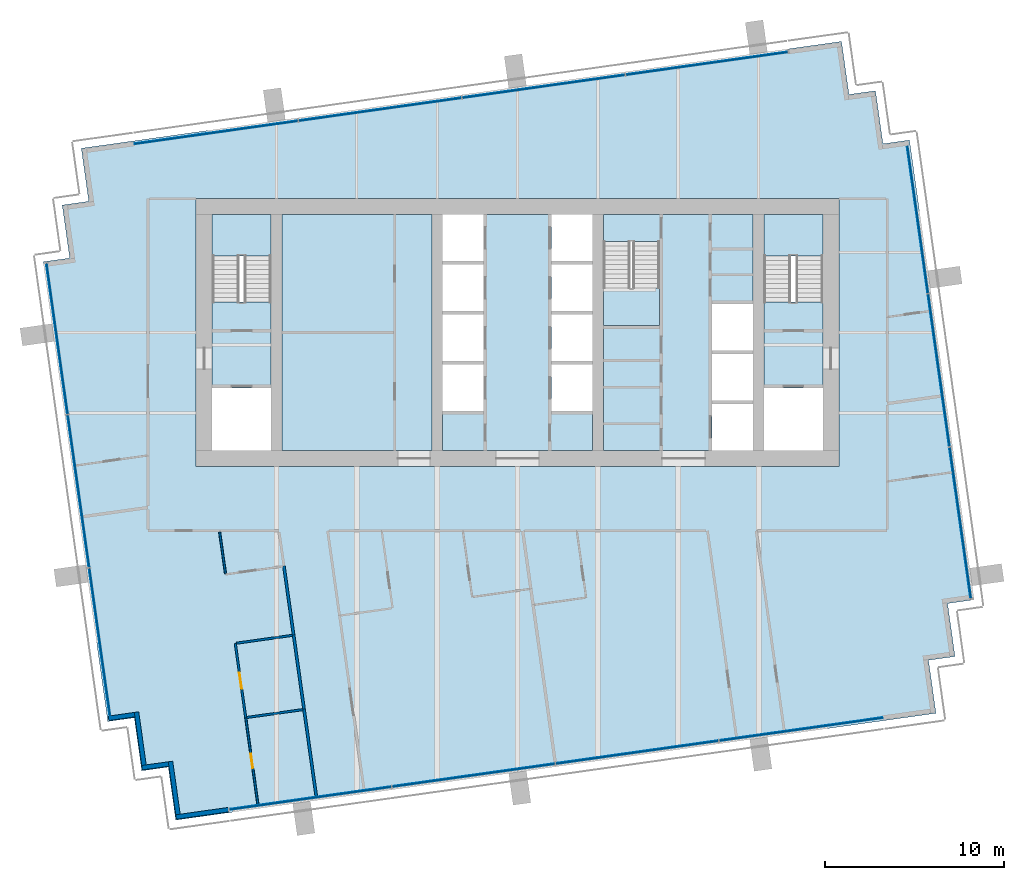
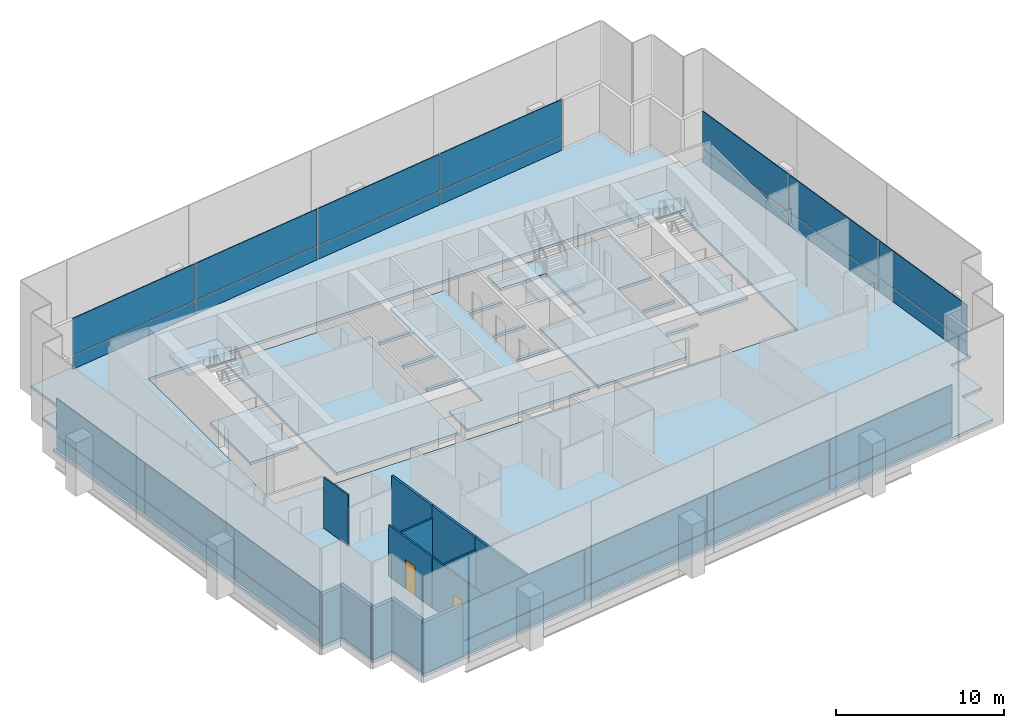
# One storey, part 7 of 15: 28 plates, 13 walls, 9 slabs, 2 doors, 2 openings, 7 elements without a shape of their own.
"""IFC4 building model written with IfcOpenShell, lengths in metres."""

from ifc_helpers import new_model, si_unit, direction, frame, frame_2d, origin, origin_2d, place, context, subcontext, project, spatial, polyline, rectangle, outline, extrude, material, layer, layer_set, type_object, element, fill, aggregate, save


model = new_model("IFC4")

# Units and contexts
model_context = context("Model", 3, precision=1e-05, world=origin(), true_north=direction((0.0, 1.0)))
body_context = subcontext(model_context, "Body", "Model", "MODEL_VIEW")
ifc_project = project(units=[si_unit("LENGTHUNIT", "METRE"), si_unit("AREAUNIT", "SQUARE_METRE"), si_unit("VOLUMEUNIT", "CUBIC_METRE"), si_unit("PLANEANGLEUNIT", "RADIAN"), si_unit("MASSUNIT", "GRAM", prefix="KILO")], contexts=[model_context])

# Site, building, storey
site_placement = place(None, origin())
site = spatial("IfcSite", under=ifc_project, at=site_placement, CompositionType="ELEMENT")
building_placement = place(site_placement, origin())
building = spatial("IfcBuilding", under=site, at=building_placement, Name="Rattan Terrace Tower", CompositionType="ELEMENT")
storey_placement = place(building_placement, frame((0.0, 0.0, 266.800048828125)))
storey = spatial("IfcBuildingStorey", under=building, at=storey_placement, Name="L61", CompositionType="ELEMENT", Elevation=266.800048828125)

# Stair, slab
ifc_material_1 = material(Name="Concrete C40/50", Category="concrete")
stair_type = type_object("IfcStairType", Name="Core exit stair 1500", PredefinedType="HALF_TURN_STAIR", material=ifc_material_1)
stair_1_placement = place(storey_placement, origin())
stair_1 = element("IfcStair", 1, at=stair_1_placement, inside=storey, type_object=stair_type, Name="L61 exit stair 1", PredefinedType="HALF_TURN_STAIR")
ifc_material_2 = material(Name="Concrete C40/50", Category="concrete")
ifc_layer_1 = layer(ifc_material_2, 0.199951171875)
ifc_layer_set_1 = layer_set([ifc_layer_1], Name="Core exit stair landing")
slab_type_1 = type_object("IfcSlabType", Name="Core exit stair landing", PredefinedType="LANDING", material=ifc_layer_set_1)
slab_1_placement = place(storey_placement, frame((0.0, 0.0, 1.75)))
slab_1 = element("IfcSlab", 2, at=slab_1_placement, type_object=slab_type_1, Name="S1 landing 1", PredefinedType="LANDING", context=body_context, shape_type="SweptSolid", body=[
    extrude(outline(polyline([(-13.800048828125, 4.300048828125), (-13.800048828125, 6.60009765625), (-17.10009765625, 6.60009765625), (-17.10009765625, 4.300048828125), (-13.800048828125, 4.300048828125)])), origin(), (0.0, 0.0, 1.0), 0.199951171875),
])
aggregate(stair_1, [slab_1])

stair_2_placement = place(storey_placement, origin())
stair_2 = element("IfcStair", 3, at=stair_2_placement, inside=storey, type_object=stair_type, Name="L61 exit stair 2", PredefinedType="HALF_TURN_STAIR")
slab_2_placement = place(storey_placement, frame((0.0, 0.0, 1.75)))
slab_2 = element("IfcSlab", 4, at=slab_2_placement, type_object=slab_type_1, Name="S2 landing 1", PredefinedType="LANDING", context=body_context, shape_type="SweptSolid", body=[
    extrude(outline(polyline([(17.10009765625, 4.300048828125), (17.10009765625, 6.60009765625), (13.800048828125, 6.60009765625), (13.800048828125, 4.300048828125), (17.10009765625, 4.300048828125)])), origin(), (0.0, 0.0, 1.0), 0.199951171875),
])
aggregate(stair_2, [slab_2])

stair_3_placement = place(storey_placement, origin())
stair_3 = element("IfcStair", 5, at=stair_3_placement, inside=storey, type_object=stair_type, Name="L61 exit stair 3", PredefinedType="HALF_TURN_STAIR")
slab_3_placement = place(storey_placement, frame((0.0, 0.0, 1.75)))
slab_3 = element("IfcSlab", 6, at=slab_3_placement, type_object=slab_type_1, Name="S3 landing 1", PredefinedType="LANDING", context=body_context, shape_type="SweptSolid", body=[
    extrude(outline(polyline([(4.800048828125, 2.5), (4.800048828125, 0.39990234375), (7.949951171875, 0.39990234375), (7.949951171875, 2.5), (4.800048828125, 2.5)])), origin(), (0.0, 0.0, 1.0), 0.199951171875),
])
aggregate(stair_3, [slab_3])

# Slabs
ifc_material_3 = material(Name="Concrete C35/45", Category="concrete")
ifc_layer_2 = layer(ifc_material_3, 0.199951171875)
ifc_layer_set_2 = layer_set([ifc_layer_2], Name="Frame composite floor slab 200")
slab_type_2 = type_object("IfcSlabType", Name="Frame composite floor slab 200", PredefinedType="FLOOR", material=ifc_layer_set_2)
slab_4_placement = place(storey_placement, frame((0.0, 0.0, -0.199951171875)))
element("IfcSlab", 7, at=slab_4_placement, inside=storey, type_object=slab_type_2, Name="Floor slab", PredefinedType="FLOOR", context=body_context, shape_type="SweptSolid", body=[
    extrude(outline(polyline([(-16.176025390625, -26.889892578125), (20.464111328125, -21.739990234375), (23.43505859375, -21.322998046875), (23.01806640625, -18.35205078125), (24.5029296875, -18.14306640625), (24.0849609375, -15.173095703125), (25.571044921875, -14.964111328125), (21.951904296875, 10.782958984375), (20.467041015625, 10.573974609375), (20.049072265625, 13.544921875), (18.56396484375, 13.3369140625), (18.14599609375, 16.306884765625), (15.176025390625, 15.889892578125), (-21.464111328125, 10.739990234375), (-24.43505859375, 10.322998046875), (-24.01806640625, 7.35205078125), (-25.5029296875, 7.14306640625), (-25.0849609375, 4.173095703125), (-26.571044921875, 3.964111328125), (-22.951904296875, -21.782958984375), (-21.467041015625, -21.573974609375), (-21.049072265625, -24.544921875), (-19.56396484375, -24.3369140625), (-19.14599609375, -27.306884765625), (-16.176025390625, -26.889892578125)]), holes=[polyline([(-18.0, -7.5), (18.0, -7.5), (18.0, -6.60009765625), (18.0, 6.60009765625), (18.0, 7.5), (-18.0, 7.5), (-18.0, 6.60009765625), (-18.0, -6.60009765625), (-18.0, -7.5)])]), origin(), (0.0, 0.0, 1.0), 0.199951171875),
])
slab_5_placement = place(storey_placement, frame((0.0, 0.0, -0.199951171875)))
element("IfcSlab", 8, at=slab_5_placement, inside=storey, type_object=slab_type_2, Name="Floor slab", PredefinedType="FLOOR", context=body_context, shape_type="SweptSolid", body=[
    extrude(outline(polyline([(13.199951171875, 6.60009765625), (4.800048828125, 6.60009765625), (4.800048828125, 5.090087890625), (7.949951171875, 5.090087890625), (7.949951171875, 0.39990234375), (4.800048828125, 0.39990234375), (4.800048828125, -6.60009765625), (10.89990234375, -6.60009765625), (10.89990234375, -4.0), (13.199951171875, -4.0), (13.199951171875, -3.800048828125), (10.89990234375, -3.800048828125), (10.89990234375, -1.199951171875), (13.199951171875, -1.199951171875), (13.199951171875, -1.0), (10.89990234375, -1.0), (10.89990234375, 1.60009765625), (13.199951171875, 1.60009765625), (13.199951171875, 6.60009765625)])), origin(), (0.0, 0.0, 1.0), 0.199951171875),
])
slab_6_placement = place(storey_placement, frame((0.0, 0.0, -0.199951171875)))
element("IfcSlab", 9, at=slab_6_placement, inside=storey, type_object=slab_type_2, Name="Floor slab", PredefinedType="FLOOR", context=body_context, shape_type="SweptSolid", body=[
    extrude(outline(polyline([(1.89990234375, 6.60009765625), (-1.89990234375, 6.60009765625), (-1.89990234375, 4.0), (-4.199951171875, 4.0), (-4.199951171875, 3.800048828125), (-1.89990234375, 3.800048828125), (-1.89990234375, 1.199951171875), (-4.199951171875, 1.199951171875), (-4.199951171875, 1.0), (-1.89990234375, 1.0), (-1.89990234375, -1.60009765625), (-4.199951171875, -1.60009765625), (-4.199951171875, -1.800048828125), (-1.89990234375, -1.800048828125), (-1.89990234375, -4.39990234375), (-4.199951171875, -4.39990234375), (-4.199951171875, -6.60009765625), (4.199951171875, -6.60009765625), (4.199951171875, -4.39990234375), (1.89990234375, -4.39990234375), (1.89990234375, -1.800048828125), (4.199951171875, -1.800048828125), (4.199951171875, -1.60009765625), (1.89990234375, -1.60009765625), (1.89990234375, 1.0), (4.199951171875, 1.0), (4.199951171875, 1.199951171875), (1.89990234375, 1.199951171875), (1.89990234375, 3.800048828125), (4.199951171875, 3.800048828125), (4.199951171875, 4.0), (1.89990234375, 4.0), (1.89990234375, 6.60009765625)])), origin(), (0.0, 0.0, 1.0), 0.199951171875),
])
slab_7_placement = place(storey_placement, frame((0.0, 0.0, -0.199951171875)))
element("IfcSlab", 10, at=slab_7_placement, inside=storey, type_object=slab_type_2, Name="Floor slab", PredefinedType="FLOOR", context=body_context, shape_type="SweptSolid", body=[
    extrude(outline(polyline([(-17.10009765625, -3.10009765625), (-13.800048828125, -3.10009765625), (-13.800048828125, 1.7099609375), (-17.10009765625, 1.7099609375), (-17.10009765625, -3.10009765625)])), origin(), (0.0, 0.0, 1.0), 0.199951171875),
])
slab_8_placement = place(storey_placement, frame((0.0, 0.0, -0.199951171875)))
element("IfcSlab", 11, at=slab_8_placement, inside=storey, type_object=slab_type_2, Name="Floor slab", PredefinedType="FLOOR", context=body_context, shape_type="SweptSolid", body=[
    extrude(outline(polyline([(-4.800048828125, -6.60009765625), (-4.800048828125, 6.60009765625), (-13.199951171875, 6.60009765625), (-13.199951171875, -6.60009765625), (-4.800048828125, -6.60009765625)])), origin(), (0.0, 0.0, 1.0), 0.199951171875),
])
slab_9_placement = place(storey_placement, frame((0.0, 0.0, -0.199951171875)))
element("IfcSlab", 12, at=slab_9_placement, inside=storey, type_object=slab_type_2, Name="Floor slab", PredefinedType="FLOOR", context=body_context, shape_type="SweptSolid", body=[
    extrude(outline(polyline([(13.800048828125, -3.10009765625), (17.10009765625, -3.10009765625), (17.10009765625, 1.7099609375), (13.800048828125, 1.7099609375), (13.800048828125, -3.10009765625)])), origin(), (0.0, 0.0, 1.0), 0.199951171875),
])

# Curtain wall, plates
ifc_material_4 = material(Name="Aluminium and laminated glass", Category="aluminium")
ifc_layer_3 = layer(ifc_material_4, 0.199951171875)
ifc_layer_set_3 = layer_set([ifc_layer_3], Name="High-Zone Unitised Curtain Wall")
curtain_wall_type = type_object("IfcCurtainWallType", Name="High-Zone Unitised Curtain Wall", PredefinedType="NOTDEFINED", material=ifc_layer_set_3)
curtain_wall_1_placement = place(storey_placement, origin())
curtain_wall_1 = element("IfcCurtainWall", 13, at=curtain_wall_1_placement, inside=storey, type_object=curtain_wall_type, Name="High-zone curtain wall L61-1", PredefinedType="NOTDEFINED")
ifc_material_5 = material(Name="Aluminium insulated spandrel panel", Category="aluminium")
ifc_layer_4 = layer(ifc_material_5, 0.050048828125)
ifc_layer_set_4 = layer_set([ifc_layer_4], Name="High-Zone CW Spandrel Panel")
plate_type_1 = type_object("IfcPlateType", Name="High-Zone CW Spandrel Panel", PredefinedType="CURTAIN_PANEL", material=ifc_layer_set_4)
plate_1_placement = place(storey_placement, frame((24.7939453125, -10.65673828125, 0.0), z_axis=(0.0, 0.0, 1.0), x_axis=(-0.139191775431, 0.990265444036, 0.0)))
plate_1 = element("IfcPlate", 14, at=plate_1_placement, type_object=plate_type_1, Name="Panel cwl-L61-001.1.1", PredefinedType="CURTAIN_PANEL", context=body_context, shape_type="SweptSolid", body=[
    extrude(rectangle(XDim=8.51708984375, YDim=0.050048828125, at=origin_2d()), origin(), (0.0, 0.0, 1.0), 0.965087890625),
])
plate_2_placement = place(storey_placement, frame((23.593017578125, -2.11376953125, 0.0), z_axis=(0.0, 0.0, 1.0), x_axis=(-0.139191775431, 0.990265444036, 0.0)))
plate_2 = element("IfcPlate", 15, at=plate_2_placement, type_object=plate_type_1, Name="Panel cwl-L61-001.2.1", PredefinedType="CURTAIN_PANEL", context=body_context, shape_type="SweptSolid", body=[
    extrude(rectangle(XDim=8.596923828125, YDim=0.050048828125, at=origin_2d()), origin(), (0.0, 0.0, 1.0), 0.965087890625),
])
plate_3_placement = place(storey_placement, frame((22.40478515625, 6.339599609375, 0.0), z_axis=(0.0, 0.0, 1.0), x_axis=(-0.139191775431, 0.990265444036, 0.0)))
plate_3 = element("IfcPlate", 16, at=plate_3_placement, type_object=plate_type_1, Name="Panel cwl-L61-001.3.1", PredefinedType="CURTAIN_PANEL", context=body_context, shape_type="SweptSolid", body=[
    extrude(rectangle(XDim=8.336181640625, YDim=0.050048828125, at=origin_2d()), origin(), (0.0, 0.0, 1.0), 0.965087890625),
])

curtain_wall_2_placement = place(storey_placement, origin())
curtain_wall_2 = element("IfcCurtainWall", 17, at=curtain_wall_2_placement, inside=storey, type_object=curtain_wall_type, Name="High-zone curtain wall L61-2", PredefinedType="NOTDEFINED")
plate_4_placement = place(storey_placement, frame((10.602783203125, 15.075439453125, 0.0), z_axis=(0.0, 0.0, 1.0), x_axis=(-0.990265894013, -0.139188574079, 0.0)))
plate_4 = element("IfcPlate", 18, at=plate_4_placement, type_object=plate_type_1, Name="Panel cwl-L61-002.1.1", PredefinedType="CURTAIN_PANEL", context=body_context, shape_type="SweptSolid", body=[
    extrude(rectangle(XDim=9.14404296875, YDim=0.050048828125, at=origin_2d()), origin(), (0.0, 0.0, 1.0), 0.965087890625),
])
plate_5_placement = place(storey_placement, frame((1.461181640625, 13.79052734375, 0.0), z_axis=(0.0, 0.0, 1.0), x_axis=(-0.990265894013, -0.139188574079, 0.0)))
plate_5 = element("IfcPlate", 19, at=plate_5_placement, type_object=plate_type_1, Name="Panel cwl-L61-002.2.1", PredefinedType="CURTAIN_PANEL", context=body_context, shape_type="SweptSolid", body=[
    extrude(rectangle(XDim=9.178955078125, YDim=0.050048828125, at=origin_2d()), origin(), (0.0, 0.0, 1.0), 0.965087890625),
])
plate_6_placement = place(storey_placement, frame((-7.69775390625, 12.503173828125, 0.0), z_axis=(0.0, 0.0, 1.0), x_axis=(-0.990265894013, -0.139188574079, 0.0)))
plate_6 = element("IfcPlate", 20, at=plate_6_placement, type_object=plate_type_1, Name="Panel cwl-L61-002.3.1", PredefinedType="CURTAIN_PANEL", context=body_context, shape_type="SweptSolid", body=[
    extrude(rectangle(XDim=9.178955078125, YDim=0.050048828125, at=origin_2d()), origin(), (0.0, 0.0, 1.0), 0.965087890625),
])
plate_7_placement = place(storey_placement, frame((-16.876220703125, 11.213134765625, 0.0), z_axis=(0.0, 0.0, 1.0), x_axis=(-0.990265894013, -0.139188574079, 0.0)))
plate_7 = element("IfcPlate", 21, at=plate_7_placement, type_object=plate_type_1, Name="Panel cwl-L61-002.4.1", PredefinedType="CURTAIN_PANEL", context=body_context, shape_type="SweptSolid", body=[
    extrude(rectangle(XDim=9.21826171875, YDim=0.050048828125, at=origin_2d()), origin(), (0.0, 0.0, 1.0), 0.965087890625),
])

curtain_wall_3_placement = place(storey_placement, origin())
curtain_wall_3 = element("IfcCurtainWall", 22, at=curtain_wall_3_placement, inside=storey, type_object=curtain_wall_type, Name="High-zone curtain wall L61-3", PredefinedType="NOTDEFINED")
plate_8_placement = place(storey_placement, frame((-25.7939453125, -0.34326171875, 0.0), z_axis=(0.0, 0.0, 1.0), x_axis=(0.139191775431, -0.990265444036, 0.0)))
plate_8 = element("IfcPlate", 23, at=plate_8_placement, type_object=plate_type_1, Name="Panel cwl-L61-003.1.1", PredefinedType="CURTAIN_PANEL", context=body_context, shape_type="SweptSolid", body=[
    extrude(rectangle(XDim=8.51708984375, YDim=0.050048828125, at=origin_2d()), origin(), (0.0, 0.0, 1.0), 0.965087890625),
])
plate_9_placement = place(storey_placement, frame((-24.593017578125, -8.88623046875, 0.0), z_axis=(0.0, 0.0, 1.0), x_axis=(0.139191775431, -0.990265444036, 0.0)))
plate_9 = element("IfcPlate", 24, at=plate_9_placement, type_object=plate_type_1, Name="Panel cwl-L61-003.2.1", PredefinedType="CURTAIN_PANEL", context=body_context, shape_type="SweptSolid", body=[
    extrude(rectangle(XDim=8.596923828125, YDim=0.050048828125, at=origin_2d()), origin(), (0.0, 0.0, 1.0), 0.965087890625),
])
plate_10_placement = place(storey_placement, frame((-23.40478515625, -17.339599609375, 0.0), z_axis=(0.0, 0.0, 1.0), x_axis=(0.139191775431, -0.990265444036, 0.0)))
plate_10 = element("IfcPlate", 25, at=plate_10_placement, type_object=plate_type_1, Name="Panel cwl-L61-003.3.1", PredefinedType="CURTAIN_PANEL", context=body_context, shape_type="SweptSolid", body=[
    extrude(rectangle(XDim=8.336181640625, YDim=0.050048828125, at=origin_2d()), origin(), (0.0, 0.0, 1.0), 0.965087890625),
])

curtain_wall_4_placement = place(storey_placement, origin())
curtain_wall_4 = element("IfcCurtainWall", 26, at=curtain_wall_4_placement, inside=storey, type_object=curtain_wall_type, Name="High-zone curtain wall L61-4", PredefinedType="NOTDEFINED")
plate_11_placement = place(storey_placement, frame((-11.602783203125, -26.075439453125, 0.0), z_axis=(0.0, 0.0, 1.0), x_axis=(0.990265894013, 0.139188574079, 0.0)))
plate_11 = element("IfcPlate", 27, at=plate_11_placement, type_object=plate_type_1, Name="Panel cwl-L61-004.1.1", PredefinedType="CURTAIN_PANEL", context=body_context, shape_type="SweptSolid", body=[
    extrude(rectangle(XDim=9.14404296875, YDim=0.050048828125, at=origin_2d()), origin(), (0.0, 0.0, 1.0), 0.965087890625),
])
plate_12_placement = place(storey_placement, frame((-2.461181640625, -24.79052734375, 0.0), z_axis=(0.0, 0.0, 1.0), x_axis=(0.990265894013, 0.139188574079, 0.0)))
plate_12 = element("IfcPlate", 28, at=plate_12_placement, type_object=plate_type_1, Name="Panel cwl-L61-004.2.1", PredefinedType="CURTAIN_PANEL", context=body_context, shape_type="SweptSolid", body=[
    extrude(rectangle(XDim=9.178955078125, YDim=0.050048828125, at=origin_2d()), origin(), (0.0, 0.0, 1.0), 0.965087890625),
])
plate_13_placement = place(storey_placement, frame((6.69775390625, -23.503173828125, 0.0), z_axis=(0.0, 0.0, 1.0), x_axis=(0.990265894013, 0.139188574079, 0.0)))
plate_13 = element("IfcPlate", 29, at=plate_13_placement, type_object=plate_type_1, Name="Panel cwl-L61-004.3.1", PredefinedType="CURTAIN_PANEL", context=body_context, shape_type="SweptSolid", body=[
    extrude(rectangle(XDim=9.178955078125, YDim=0.050048828125, at=origin_2d()), origin(), (0.0, 0.0, 1.0), 0.965087890625),
])
plate_14_placement = place(storey_placement, frame((15.876220703125, -22.213134765625, 0.0), z_axis=(0.0, 0.0, 1.0), x_axis=(0.990265894013, 0.139188574079, 0.0)))
plate_14 = element("IfcPlate", 30, at=plate_14_placement, type_object=plate_type_1, Name="Panel cwl-L61-004.4.1", PredefinedType="CURTAIN_PANEL", context=body_context, shape_type="SweptSolid", body=[
    extrude(rectangle(XDim=9.21826171875, YDim=0.050048828125, at=origin_2d()), origin(), (0.0, 0.0, 1.0), 0.965087890625),
])

# Plate
ifc_material_6 = material(Name="Laminated low-iron glass", Category="glass")
ifc_layer_5 = layer(ifc_material_6, 0.055908203125)
ifc_layer_set_5 = layer_set([ifc_layer_5], Name="High-Zone CW Vision Panel")
plate_type_2 = type_object("IfcPlateType", Name="High-Zone CW Vision Panel", PredefinedType="CURTAIN_PANEL", material=ifc_layer_set_5)
plate_15_placement = place(storey_placement, frame((24.7939453125, -10.65673828125, 1.034912109375), z_axis=(0.0, 0.0, 1.0), x_axis=(-0.139191775431, 0.990265444036, 0.0)))
plate_15 = element("IfcPlate", 31, at=plate_15_placement, type_object=plate_type_2, Name="Panel cwl-L61-001.1.2", PredefinedType="CURTAIN_PANEL", context=body_context, shape_type="SweptSolid", body=[
    extrude(rectangle(XDim=8.51708984375, YDim=0.055908203125, at=origin_2d()), origin(), (0.0, 0.0, 1.0), 2.6650390625),
])

plate_16_placement = place(storey_placement, frame((23.593017578125, -2.11376953125, 1.034912109375), z_axis=(0.0, 0.0, 1.0), x_axis=(-0.139191775431, 0.990265444036, 0.0)))
plate_16 = element("IfcPlate", 32, at=plate_16_placement, type_object=plate_type_2, Name="Panel cwl-L61-001.2.2", PredefinedType="CURTAIN_PANEL", context=body_context, shape_type="SweptSolid", body=[
    extrude(rectangle(XDim=8.596923828125, YDim=0.055908203125, at=origin_2d()), origin(), (0.0, 0.0, 1.0), 2.6650390625),
])

plate_17_placement = place(storey_placement, frame((22.40478515625, 6.339599609375, 1.034912109375), z_axis=(0.0, 0.0, 1.0), x_axis=(-0.139191775431, 0.990265444036, 0.0)))
plate_17 = element("IfcPlate", 33, at=plate_17_placement, type_object=plate_type_2, Name="Panel cwl-L61-001.3.2", PredefinedType="CURTAIN_PANEL", context=body_context, shape_type="SweptSolid", body=[
    extrude(rectangle(XDim=8.336181640625, YDim=0.055908203125, at=origin_2d()), origin(), (0.0, 0.0, 1.0), 2.6650390625),
])

aggregate(curtain_wall_1, [plate_1, plate_15, plate_2, plate_16, plate_3, plate_17])

plate_18_placement = place(storey_placement, frame((10.602783203125, 15.075439453125, 1.034912109375), z_axis=(0.0, 0.0, 1.0), x_axis=(-0.990265894013, -0.139188574079, 0.0)))
plate_18 = element("IfcPlate", 34, at=plate_18_placement, type_object=plate_type_2, Name="Panel cwl-L61-002.1.2", PredefinedType="CURTAIN_PANEL", context=body_context, shape_type="SweptSolid", body=[
    extrude(rectangle(XDim=9.14404296875, YDim=0.055908203125, at=origin_2d()), origin(), (0.0, 0.0, 1.0), 2.6650390625),
])

plate_19_placement = place(storey_placement, frame((1.461181640625, 13.79052734375, 1.034912109375), z_axis=(0.0, 0.0, 1.0), x_axis=(-0.990265894013, -0.139188574079, 0.0)))
plate_19 = element("IfcPlate", 35, at=plate_19_placement, type_object=plate_type_2, Name="Panel cwl-L61-002.2.2", PredefinedType="CURTAIN_PANEL", context=body_context, shape_type="SweptSolid", body=[
    extrude(rectangle(XDim=9.178955078125, YDim=0.055908203125, at=origin_2d()), origin(), (0.0, 0.0, 1.0), 2.6650390625),
])

plate_20_placement = place(storey_placement, frame((-7.69775390625, 12.503173828125, 1.034912109375), z_axis=(0.0, 0.0, 1.0), x_axis=(-0.990265894013, -0.139188574079, 0.0)))
plate_20 = element("IfcPlate", 36, at=plate_20_placement, type_object=plate_type_2, Name="Panel cwl-L61-002.3.2", PredefinedType="CURTAIN_PANEL", context=body_context, shape_type="SweptSolid", body=[
    extrude(rectangle(XDim=9.178955078125, YDim=0.055908203125, at=origin_2d()), origin(), (0.0, 0.0, 1.0), 2.6650390625),
])

plate_21_placement = place(storey_placement, frame((-16.876220703125, 11.213134765625, 1.034912109375), z_axis=(0.0, 0.0, 1.0), x_axis=(-0.990265894013, -0.139188574079, 0.0)))
plate_21 = element("IfcPlate", 37, at=plate_21_placement, type_object=plate_type_2, Name="Panel cwl-L61-002.4.2", PredefinedType="CURTAIN_PANEL", context=body_context, shape_type="SweptSolid", body=[
    extrude(rectangle(XDim=9.21826171875, YDim=0.055908203125, at=origin_2d()), origin(), (0.0, 0.0, 1.0), 2.6650390625),
])

aggregate(curtain_wall_2, [plate_4, plate_18, plate_5, plate_19, plate_6, plate_20, plate_7, plate_21])

plate_22_placement = place(storey_placement, frame((-25.7939453125, -0.34326171875, 1.034912109375), z_axis=(0.0, 0.0, 1.0), x_axis=(0.139191775431, -0.990265444036, 0.0)))
plate_22 = element("IfcPlate", 38, at=plate_22_placement, type_object=plate_type_2, Name="Panel cwl-L61-003.1.2", PredefinedType="CURTAIN_PANEL", context=body_context, shape_type="SweptSolid", body=[
    extrude(rectangle(XDim=8.51708984375, YDim=0.055908203125, at=origin_2d()), origin(), (0.0, 0.0, 1.0), 2.6650390625),
])

plate_23_placement = place(storey_placement, frame((-24.593017578125, -8.88623046875, 1.034912109375), z_axis=(0.0, 0.0, 1.0), x_axis=(0.139191775431, -0.990265444036, 0.0)))
plate_23 = element("IfcPlate", 39, at=plate_23_placement, type_object=plate_type_2, Name="Panel cwl-L61-003.2.2", PredefinedType="CURTAIN_PANEL", context=body_context, shape_type="SweptSolid", body=[
    extrude(rectangle(XDim=8.596923828125, YDim=0.055908203125, at=origin_2d()), origin(), (0.0, 0.0, 1.0), 2.6650390625),
])

plate_24_placement = place(storey_placement, frame((-23.40478515625, -17.339599609375, 1.034912109375), z_axis=(0.0, 0.0, 1.0), x_axis=(0.139191775431, -0.990265444036, 0.0)))
plate_24 = element("IfcPlate", 40, at=plate_24_placement, type_object=plate_type_2, Name="Panel cwl-L61-003.3.2", PredefinedType="CURTAIN_PANEL", context=body_context, shape_type="SweptSolid", body=[
    extrude(rectangle(XDim=8.336181640625, YDim=0.055908203125, at=origin_2d()), origin(), (0.0, 0.0, 1.0), 2.6650390625),
])

aggregate(curtain_wall_3, [plate_8, plate_22, plate_9, plate_23, plate_10, plate_24])

plate_25_placement = place(storey_placement, frame((-11.602783203125, -26.075439453125, 1.034912109375), z_axis=(0.0, 0.0, 1.0), x_axis=(0.990265894013, 0.139188574079, 0.0)))
plate_25 = element("IfcPlate", 41, at=plate_25_placement, type_object=plate_type_2, Name="Panel cwl-L61-004.1.2", PredefinedType="CURTAIN_PANEL", context=body_context, shape_type="SweptSolid", body=[
    extrude(rectangle(XDim=9.14404296875, YDim=0.055908203125, at=origin_2d()), origin(), (0.0, 0.0, 1.0), 2.6650390625),
])

plate_26_placement = place(storey_placement, frame((-2.461181640625, -24.79052734375, 1.034912109375), z_axis=(0.0, 0.0, 1.0), x_axis=(0.990265894013, 0.139188574079, 0.0)))
plate_26 = element("IfcPlate", 42, at=plate_26_placement, type_object=plate_type_2, Name="Panel cwl-L61-004.2.2", PredefinedType="CURTAIN_PANEL", context=body_context, shape_type="SweptSolid", body=[
    extrude(rectangle(XDim=9.178955078125, YDim=0.055908203125, at=origin_2d()), origin(), (0.0, 0.0, 1.0), 2.6650390625),
])

plate_27_placement = place(storey_placement, frame((6.69775390625, -23.503173828125, 1.034912109375), z_axis=(0.0, 0.0, 1.0), x_axis=(0.990265894013, 0.139188574079, 0.0)))
plate_27 = element("IfcPlate", 43, at=plate_27_placement, type_object=plate_type_2, Name="Panel cwl-L61-004.3.2", PredefinedType="CURTAIN_PANEL", context=body_context, shape_type="SweptSolid", body=[
    extrude(rectangle(XDim=9.178955078125, YDim=0.055908203125, at=origin_2d()), origin(), (0.0, 0.0, 1.0), 2.6650390625),
])

plate_28_placement = place(storey_placement, frame((15.876220703125, -22.213134765625, 1.034912109375), z_axis=(0.0, 0.0, 1.0), x_axis=(0.990265894013, 0.139188574079, 0.0)))
plate_28 = element("IfcPlate", 44, at=plate_28_placement, type_object=plate_type_2, Name="Panel cwl-L61-004.4.2", PredefinedType="CURTAIN_PANEL", context=body_context, shape_type="SweptSolid", body=[
    extrude(rectangle(XDim=9.21826171875, YDim=0.055908203125, at=origin_2d()), origin(), (0.0, 0.0, 1.0), 2.6650390625),
])

aggregate(curtain_wall_4, [plate_11, plate_25, plate_12, plate_26, plate_13, plate_27, plate_14, plate_28])

# Walls
ifc_material_7 = material(Name="Insulated aluminium-clad stud wall", Category="aluminium")
ifc_layer_6 = layer(ifc_material_7, 0.25)
ifc_layer_set_6 = layer_set([ifc_layer_6], Name="Facade Riser Wall 250")
wall_type_1 = type_object("IfcWallType", Name="Facade Riser Wall 250", PredefinedType="SOLIDWALL", material=ifc_layer_set_6)
wall_1_placement = place(storey_placement, frame((-22.90625, -21.60498046875, 0.0), z_axis=(0.0, 0.0, 1.0), x_axis=(0.990235520307, 0.13940449893, 0.0)))
element("IfcWall", 45, at=wall_1_placement, inside=storey, type_object=wall_type_1, Name="Riser wall L61-16", PredefinedType="SOLIDWALL", context=body_context, shape_type="SweptSolid", body=[
    extrude(rectangle(XDim=1.474609375, YDim=0.25, at=frame_2d((0.7373046875, 0.0))), origin(), (0.0, 0.0, 1.0), 3.699951171875),
])
wall_2_placement = place(storey_placement, frame((-21.33984375, -21.25830078125, 0.0), z_axis=(0.0, 0.0, 1.0), x_axis=(0.139393225799, -0.990237107263, 0.0)))
element("IfcWall", 46, at=wall_2_placement, inside=storey, type_object=wall_type_1, Name="Riser wall L61-17", PredefinedType="SOLIDWALL", context=body_context, shape_type="SweptSolid", body=[
    extrude(rectangle(XDim=3.000244140625, YDim=0.25, at=frame_2d((1.5, 0.0))), origin(), (0.0, 0.0, 1.0), 3.699951171875),
])
wall_3_placement = place(storey_placement, frame((-21.028076171875, -24.370361328125, 0.0), z_axis=(0.0, 0.0, 1.0), x_axis=(0.990330117064, 0.138730887823, 0.0)))
element("IfcWall", 47, at=wall_3_placement, inside=storey, type_object=wall_type_1, Name="Riser wall L61-18", PredefinedType="SOLIDWALL", context=body_context, shape_type="SweptSolid", body=[
    extrude(rectangle(XDim=1.499267578125, YDim=0.25, at=frame_2d((0.74951171875, 0.0))), origin(), (0.0, 0.0, 1.0), 3.699951171875),
])
wall_4_placement = place(storey_placement, frame((-19.436767578125, -24.021240234375, 0.0), z_axis=(0.0, 0.0, 1.0), x_axis=(0.139358350296, -0.990242015975, 0.0)))
element("IfcWall", 48, at=wall_4_placement, inside=storey, type_object=wall_type_1, Name="Riser wall L61-19", PredefinedType="SOLIDWALL", context=body_context, shape_type="SweptSolid", body=[
    extrude(rectangle(XDim=2.999267578125, YDim=0.25, at=frame_2d((1.49951171875, 0.0))), origin(), (0.0, 0.0, 1.0), 3.699951171875),
])
wall_5_placement = place(storey_placement, frame((-19.125244140625, -27.13232421875, 0.0), z_axis=(0.0, 0.0, 1.0), x_axis=(0.990291981483, 0.139002846771, 0.0)))
element("IfcWall", 49, at=wall_5_placement, inside=storey, type_object=wall_type_1, Name="Riser wall L61-20", PredefinedType="SOLIDWALL", context=body_context, shape_type="SweptSolid", body=[
    extrude(rectangle(XDim=2.9541015625, YDim=0.25, at=frame_2d((1.47705078125, 0.0))), origin(), (0.0, 0.0, 1.0), 3.699951171875),
])

# Wall, opening, door
ifc_material_8 = material(Name="Gypsum board partition on steel studs", Category="steel")
ifc_layer_7 = layer(ifc_material_8, 0.10009765625)
ifc_layer_set_7 = layer_set([ifc_layer_7], Name="Floors Partition 100")
wall_type_2 = type_object("IfcWallType", Name="Floors Partition 100", PredefinedType="PARTITIONING", material=ifc_layer_set_7)
wall_6_placement = place(storey_placement, frame((-15.221923828125, -21.5859375, 0.0), z_axis=(0.0, 0.0, 1.0), x_axis=(0.139120882778, -0.990275406124, 0.0)))
wall_6 = element("IfcWall", 50, at=wall_6_placement, inside=storey, type_object=wall_type_2, Name="pt-L61-026", PredefinedType="PARTITIONING", context=body_context, shape_type="SweptSolid", body=[
    extrude(rectangle(XDim=4.859375, YDim=0.10009765625, at=frame_2d((2.4296875, 0.0))), origin(), (0.0, 0.0, 1.0), 3.699951171875),
])
opening_1_placement = place(wall_6_placement, frame((2.030029296875, 0.0, 0.0)))
opening_1 = element("IfcOpeningElement", 51, at=opening_1_placement, cuts=wall_6, Name="Opening L61-D101", PredefinedType="OPENING", context=body_context, shape_type="SweptSolid", body=[
    extrude(rectangle(XDim=0.800048828125, YDim=2.10009765625, at=frame_2d((0.39990234375, 1.050048828125))), frame((0.0, 0.060546875, 0.0), z_axis=(0.0, -1.0, 0.0), x_axis=(1.0, 0.0, 0.0)), (0.0, 0.0, 1.0), 0.12109375),
])
ifc_material_9 = material(Name="Solid core timber door, painted", Category="wood")
door_type_1 = type_object("IfcDoorType", Name="Floors Store Door 800x2100", OperationType="NOTDEFINED", PredefinedType="DOOR", material=ifc_material_9)
door_1_placement = place(opening_1_placement, origin())
door_1 = element("IfcDoor", 52, at=door_1_placement, inside=storey, type_object=door_type_1, Name="d-L61-101", OperationType="SINGLE_SWING_RIGHT", OverallHeight=2.10009765625, OverallWidth=0.800048828125, PredefinedType="DOOR", context=body_context, shape_type="SweptSolid", body=[
    extrude(rectangle(XDim=0.800048828125, YDim=2.10009765625, at=frame_2d((0.39990234375, 1.050048828125))), frame((0.0, 0.02490234375, 0.0), z_axis=(0.0, -1.0, 0.0), x_axis=(1.0, 0.0, 0.0)), (0.0, 0.0, 1.0), 0.050048828125),
])
fill(opening_1, door_1)

# Walls
wall_7_placement = place(storey_placement, frame((-16.68701171875, -11.16796875, 0.0), z_axis=(0.0, 0.0, 1.0), x_axis=(0.139560302367, -0.990213573934, 0.0)))
element("IfcWall", 53, at=wall_7_placement, inside=storey, type_object=wall_type_2, Name="pt-L61-029", PredefinedType="PARTITIONING", context=body_context, shape_type="SweptSolid", body=[
    extrude(rectangle(XDim=2.35107421875, YDim=0.10009765625, at=frame_2d((1.175537109375, 0.0))), origin(), (0.0, 0.0, 1.0), 3.699951171875),
])
ifc_material_10 = material(Name="Gypsum board partition on steel studs, fire rated", Category="steel")
ifc_layer_8 = layer(ifc_material_10, 0.14990234375)
ifc_layer_set_8 = layer_set([ifc_layer_8], Name="Floors Tenancy Wall 150")
wall_type_3 = type_object("IfcWallType", Name="Floors Tenancy Wall 150", PredefinedType="PARTITIONING", material=ifc_layer_set_8)
wall_8_placement = place(storey_placement, frame((-12.5439453125, -16.927978515625, 0.0), z_axis=(0.0, 0.0, 1.0), x_axis=(-0.139221261089, 0.990261299083, 0.0)))
element("IfcWall", 54, at=wall_8_placement, inside=storey, type_object=wall_type_3, Name="pt-L61-003", PredefinedType="PARTITIONING", context=body_context, shape_type="SweptSolid", body=[
    extrude(rectangle(XDim=3.900146484375, YDim=0.14990234375, at=frame_2d((1.9501953125, 0.0))), origin(), (0.0, 0.0, 1.0), 3.699951171875),
])
wall_9_placement = place(storey_placement, frame((-11.278076171875, -25.93896484375, 0.0), z_axis=(0.0, 0.0, 1.0), x_axis=(-0.139167797017, 0.990268814148, 0.0)))
element("IfcWall", 55, at=wall_9_placement, inside=storey, type_object=wall_type_3, Name="pt-L61-004", PredefinedType="PARTITIONING", context=body_context, shape_type="SweptSolid", body=[
    extrude(rectangle(XDim=4.899658203125, YDim=0.14990234375, at=frame_2d((2.44970703125, 0.0))), origin(), (0.0, 0.0, 1.0), 3.699951171875),
])
wall_10_placement = place(storey_placement, frame((-11.9599609375, -21.0869140625, 0.0), z_axis=(0.0, 0.0, 1.0), x_axis=(-0.139052638616, 0.990284991148, 0.0)))
element("IfcWall", 56, at=wall_10_placement, inside=storey, type_object=wall_type_3, Name="pt-L61-005", PredefinedType="PARTITIONING", context=body_context, shape_type="SweptSolid", body=[
    extrude(rectangle(XDim=4.19970703125, YDim=0.14990234375, at=frame_2d((2.099853515625, 0.0))), origin(), (0.0, 0.0, 1.0), 3.699951171875),
])

# Wall, opening, door
ifc_material_11 = material(Name="Moisture resistant gypsum board partition on steel studs with service cavity", Category="steel")
ifc_layer_9 = layer(ifc_material_11, 0.1201171875)
ifc_layer_set_9 = layer_set([ifc_layer_9], Name="Floors Wet Wall 120")
wall_type_4 = type_object("IfcWallType", Name="Floors Wet Wall 120", PredefinedType="PARTITIONING", material=ifc_layer_set_9)
wall_11_placement = place(storey_placement, frame((-15.80908203125, -17.406982421875, 0.0), z_axis=(0.0, 0.0, 1.0), x_axis=(0.139136935655, -0.99027315077, 0.0)))
wall_11 = element("IfcWall", 57, at=wall_11_placement, inside=storey, type_object=wall_type_4, Name="pt-L61-027", PredefinedType="PARTITIONING", context=body_context, shape_type="SweptSolid", body=[
    extrude(rectangle(XDim=4.219970703125, YDim=0.1201171875, at=frame_2d((2.10986328125, 0.0))), origin(), (0.0, 0.0, 1.0), 3.699951171875),
])
opening_2_placement = place(wall_11_placement, frame((1.659912109375, 0.0, 0.0)))
opening_2 = element("IfcOpeningElement", 58, at=opening_2_placement, cuts=wall_11, Name="Opening L61-D102", PredefinedType="OPENING", context=body_context, shape_type="SweptSolid", body=[
    extrude(rectangle(XDim=0.89990234375, YDim=2.10009765625, at=frame_2d((0.449951171875, 1.050048828125))), frame((0.0, 0.070556640625, 0.0), z_axis=(0.0, -1.0, 0.0), x_axis=(1.0, 0.0, 0.0)), (0.0, 0.0, 1.0), 0.14111328125),
])
ifc_material_12 = material(Name="Solid core timber door, painted", Category="wood")
door_type_2 = type_object("IfcDoorType", Name="Floors Door 900x2100", OperationType="NOTDEFINED", PredefinedType="DOOR", material=ifc_material_12)
door_2_placement = place(opening_2_placement, origin())
door_2 = element("IfcDoor", 59, at=door_2_placement, inside=storey, type_object=door_type_2, Name="d-L61-102", OperationType="SINGLE_SWING_LEFT", OverallHeight=2.10009765625, OverallWidth=0.89990234375, PredefinedType="DOOR", context=body_context, shape_type="SweptSolid", body=[
    extrude(rectangle(XDim=0.89990234375, YDim=2.10009765625, at=frame_2d((0.449951171875, 1.050048828125))), frame((0.0, 0.02490234375, 0.0), z_axis=(0.0, -1.0, 0.0), x_axis=(1.0, 0.0, 0.0)), (0.0, 0.0, 1.0), 0.050048828125),
])
fill(opening_2, door_2)

# Walls
for number, where, z_axis, x_axis, name in (
    (60, (-12.614990234375, -16.9580078125, 0.0), (0.0, 0.0, 1.0), (-0.990254086283, -0.139272555084, 0.0), "pt-L61-028"),
    (61, (-15.166015625, -21.55810546875, 0.0), (0.0, 0.0, 1.0), (0.990285967974, 0.139045681821, 0.0), "pt-L61-032"),
):
    element("IfcWall", number, at=place(storey_placement, frame(where, z_axis=z_axis, x_axis=x_axis)), inside=storey, type_object=wall_type_4, Name=name, PredefinedType="PARTITIONING", context=body_context, shape_type="SweptSolid", body=[
        extrude(rectangle(XDim=3.165771484375, YDim=0.1201171875, at=frame_2d((1.5830078125, 0.0))), origin(), (0.0, 0.0, 1.0), 2.800048828125),
    ])

save(model, "model.ifc")
